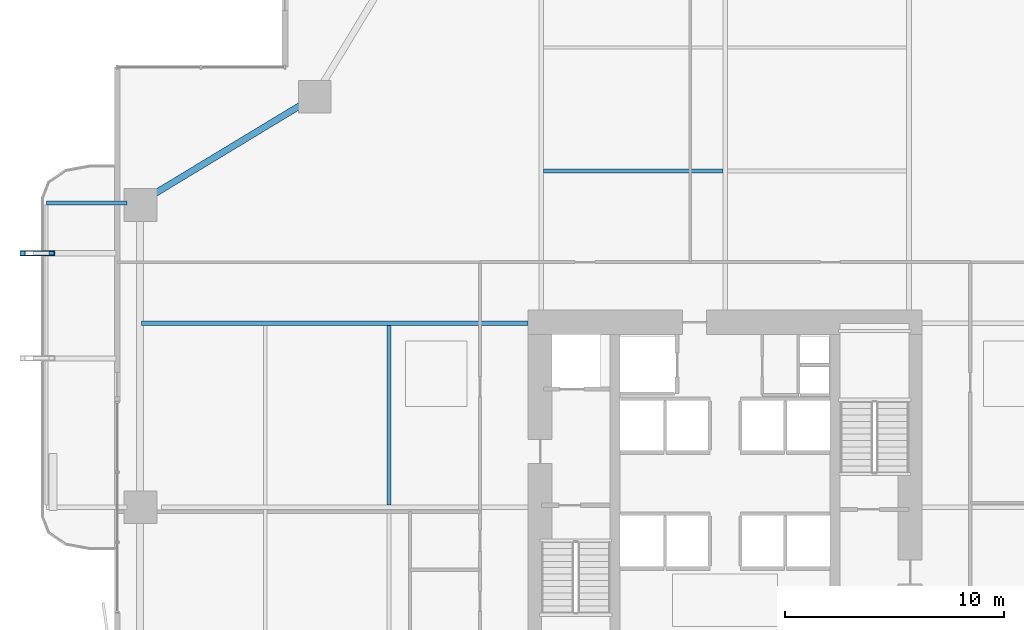
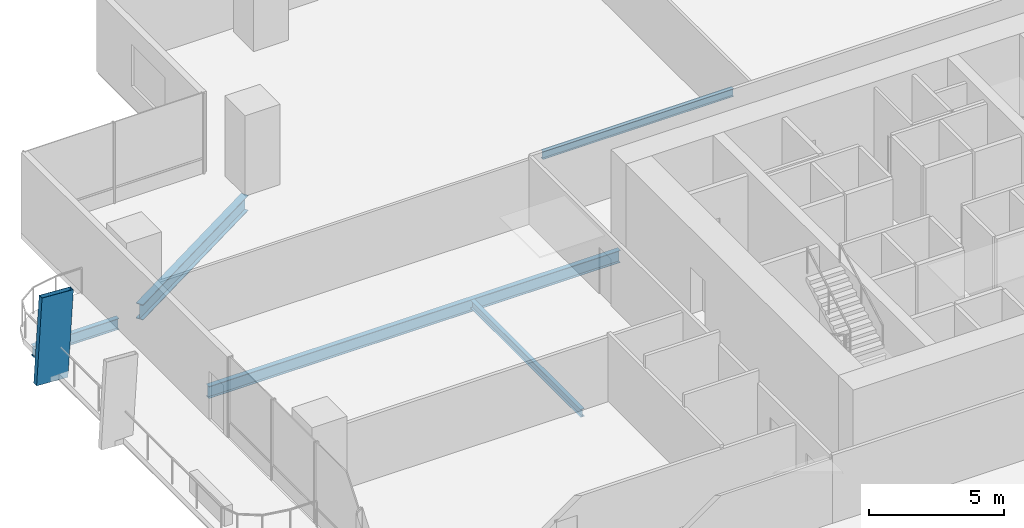
# One storey, part 14 of 30: 5 beams, 1 member.
"""IFC4 building model written with IfcOpenShell, lengths in metres."""

from ifc_helpers import new_model, si_unit, direction, frame, origin, origin_2d, place, context, subcontext, project, spatial, hollow_rectangle, i_section, extrude, material, material_profile, profile_set, type_object, element, save


model = new_model("IFC4")

# Units and contexts
model_context = context("Model", 3, precision=1e-05, world=origin(), true_north=direction((0.0, 1.0)))
body_context = subcontext(model_context, "Body", "Model", "MODEL_VIEW")
ifc_project = project(units=[si_unit("LENGTHUNIT", "METRE"), si_unit("AREAUNIT", "SQUARE_METRE"), si_unit("VOLUMEUNIT", "CUBIC_METRE"), si_unit("PLANEANGLEUNIT", "RADIAN"), si_unit("MASSUNIT", "GRAM", prefix="KILO")], contexts=[model_context])

# Site, building, storey
site_placement = place(None, origin())
site = spatial("IfcSite", under=ifc_project, at=site_placement, CompositionType="ELEMENT")
building_placement = place(site_placement, origin())
building = spatial("IfcBuilding", under=site, at=building_placement, Name="Belovzor Exchange Tower", CompositionType="ELEMENT")
storey_placement = place(building_placement, frame((0.0, 0.0, 30.0)))
storey = spatial("IfcBuildingStorey", under=building, at=storey_placement, Name="L06", CompositionType="ELEMENT", Elevation=30.0)

# Member
ifc_material_1 = material(Name="Extruded Architectural Terracotta on Steel S355 Carrier", Category="masonry")
ifc_material_profile_1 = material_profile(ifc_material_1, hollow_rectangle(XDim=0.219970703125, YDim=1.35009765625, WallThickness=0.013916015625, at=origin_2d()))
ifc_profile_set_1 = profile_set([ifc_material_profile_1], Name="Extruded Architectural Terracotta on Steel S355 Carrier")
member_type = type_object("IfcMemberType", Name="Base Arc Sweeping Terracotta Pylon Fin 1450", PredefinedType="USERDEFINED", material=ifc_profile_set_1)
member_placement = place(storey_placement, frame((-2.737060546875, 40.39990234375, -0.25), z_axis=(0.059678094331, 0.0, 0.998217674186), x_axis=(0.0, 1.0, 0.0)))
element("IfcMember", 1, at=member_placement, inside=storey, type_object=member_type, Name="FIN-TC145 Terracotta Facade Fin L06 W4", ObjectType="FIN", PredefinedType="USERDEFINED", context=body_context, shape_type="SweptSolid", body=[
    extrude(hollow_rectangle(XDim=0.219970703125, YDim=1.35009765625, WallThickness=0.013916015625, at=origin_2d()), origin(), (0.0, 0.0, 1.0), 3.906982421875),
])

# Beams
ifc_material_2 = material(Name="Steel S355", Category="steel")
ifc_material_profile_2 = material_profile(ifc_material_2, i_section(OverallWidth=0.199951171875, OverallDepth=0.5, WebThickness=0.01025390625, FlangeThickness=0.01611328125, at=origin_2d()))
ifc_profile_set_2 = profile_set([ifc_material_profile_2], Name="Steel S355")
beam_type_1 = type_object("IfcBeamType", Name="Planted Balcony Cantilever Beam IPE 500", PredefinedType="BEAM", material=ifc_profile_set_2)
beam_1_placement = place(storey_placement, frame((1.469970703125, 42.699951171875, -0.5), z_axis=(-1.0, 0.0, 0.0), x_axis=(0.0, -1.0, 0.0)))
element("IfcBeam", 2, at=beam_1_placement, inside=storey, type_object=beam_type_1, Name="BC-500 Planted Balcony Cantilever Beam IPE 500", PredefinedType="BEAM", context=body_context, shape_type="SweptSolid", body=[
    extrude(i_section(OverallWidth=0.199951171875, OverallDepth=0.5, WebThickness=0.01025390625, FlangeThickness=0.01611328125, at=origin_2d()), origin(), (0.0, 0.0, 1.0), 3.669921875),
])
ifc_material_3 = material(Name="Steel S355", Category="steel")
ifc_material_profile_3 = material_profile(ifc_material_3, i_section(OverallWidth=0.169921875, OverallDepth=0.360107421875, WebThickness=0.008056640625, FlangeThickness=0.0126953125, at=origin_2d()))
ifc_profile_set_3 = profile_set([ifc_material_profile_3], Name="Steel S355")
beam_type_2 = type_object("IfcBeamType", Name="Secondary Infill Floor Joist IPE 360", PredefinedType="BEAM", material=ifc_profile_set_3)
beam_2_placement = place(storey_placement, frame((20.5048828125, 44.156005859375, -0.429931640625), z_axis=(1.0, 0.0, 0.0), x_axis=(0.0, 1.0, 0.0)))
element("IfcBeam", 3, at=beam_2_placement, inside=storey, type_object=beam_type_2, Name="FJ-360 Secondary Infill Floor Joist IPE 360", PredefinedType="BEAM", context=body_context, shape_type="SweptSolid", body=[
    extrude(i_section(OverallWidth=0.169921875, OverallDepth=0.360107421875, WebThickness=0.008056640625, FlangeThickness=0.0126953125, at=origin_2d()), origin(), (0.0, 0.0, 1.0), 8.190185546875),
])
beam_3_placement = place(storey_placement, frame((13.444091796875, 28.905029296875, -0.429931640625), z_axis=(0.0, 1.0, 0.0), x_axis=(-1.0, 0.0, 0.0)))
element("IfcBeam", 4, at=beam_3_placement, inside=storey, type_object=beam_type_2, Name="FJ-360 Secondary Infill Floor Joist IPE 360", PredefinedType="BEAM", context=body_context, shape_type="SweptSolid", body=[
    extrude(i_section(OverallWidth=0.169921875, OverallDepth=0.360107421875, WebThickness=0.008056640625, FlangeThickness=0.0126953125, at=origin_2d()), origin(), (0.0, 0.0, 1.0), 8.18994140625),
])
ifc_material_4 = material(Name="Steel S355", Category="steel")
ifc_material_profile_4 = material_profile(ifc_material_4, i_section(OverallWidth=0.300048828125, OverallDepth=0.699951171875, WebThickness=0.01708984375, FlangeThickness=0.031982421875, at=origin_2d()))
ifc_profile_set_4 = profile_set([ifc_material_profile_4], Name="Steel S355")
beam_type_3 = type_object("IfcBeamType", Name="Zone 1 Primary Perimeter Girder HEB 700", PredefinedType="BEAM", material=ifc_profile_set_4)
beam_4_placement = place(storey_placement, frame((9.531982421875, 47.237060546875, -0.60009765625), z_axis=(-0.855440120262, -0.517901728753, 0.0), x_axis=(0.517901728753, -0.855440120262, 0.0)))
element("IfcBeam", 5, at=beam_4_placement, inside=storey, type_object=beam_type_3, Name="FG-Z1 Zone 1 Primary Perimeter Girder HEB 700", PredefinedType="BEAM", context=body_context, shape_type="SweptSolid", body=[
    extrude(i_section(OverallWidth=0.300048828125, OverallDepth=0.699951171875, WebThickness=0.01708984375, FlangeThickness=0.031982421875, at=origin_2d()), origin(), (0.0, 0.0, 1.0), 8.11767578125),
])
ifc_material_5 = material(Name="Steel S355", Category="steel")
ifc_material_profile_5 = material_profile(ifc_material_5, i_section(OverallWidth=0.2099609375, OverallDepth=0.550048828125, WebThickness=0.010986328125, FlangeThickness=0.01708984375, at=origin_2d()))
ifc_profile_set_5 = profile_set([ifc_material_profile_5], Name="Steel S355")
beam_type_4 = type_object("IfcBeamType", Name="Zone 1 Radial Composite Floor Beam IPE 550", PredefinedType="BEAM", material=ifc_profile_set_5)
beam_5_placement = place(storey_placement, frame((19.800048828125, 37.199951171875, -0.52490234375), z_axis=(-1.0, 0.0, 0.0), x_axis=(0.0, -1.0, 0.0)))
element("IfcBeam", 6, at=beam_5_placement, inside=storey, type_object=beam_type_4, Name="FB-550 Zone 1 Radial Composite Floor Beam IPE 550", PredefinedType="BEAM", context=body_context, shape_type="SweptSolid", body=[
    extrude(i_section(OverallWidth=0.2099609375, OverallDepth=0.550048828125, WebThickness=0.010986328125, FlangeThickness=0.01708984375, at=origin_2d()), origin(), (0.0, 0.0, 1.0), 17.655029296875),
])

save(model, "model.ifc")
